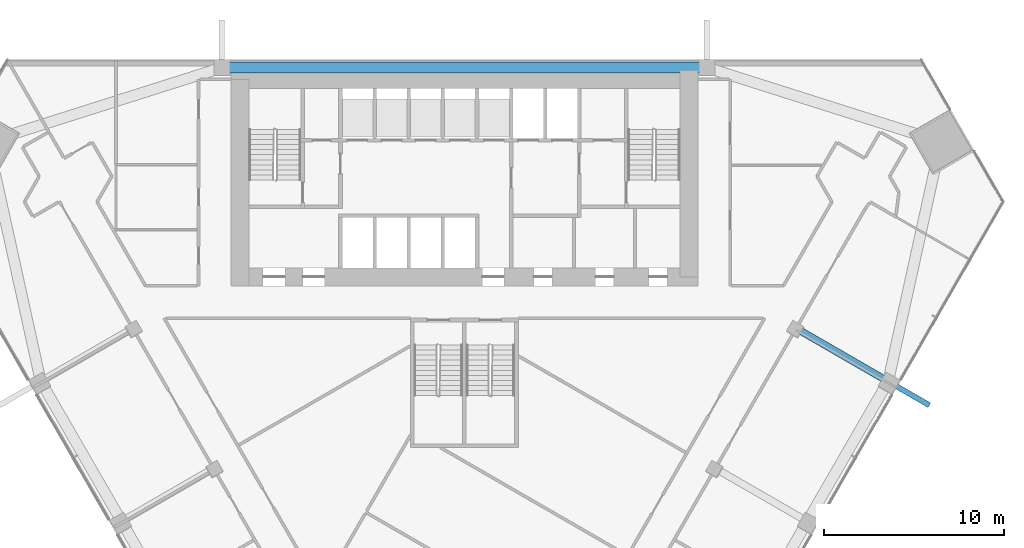
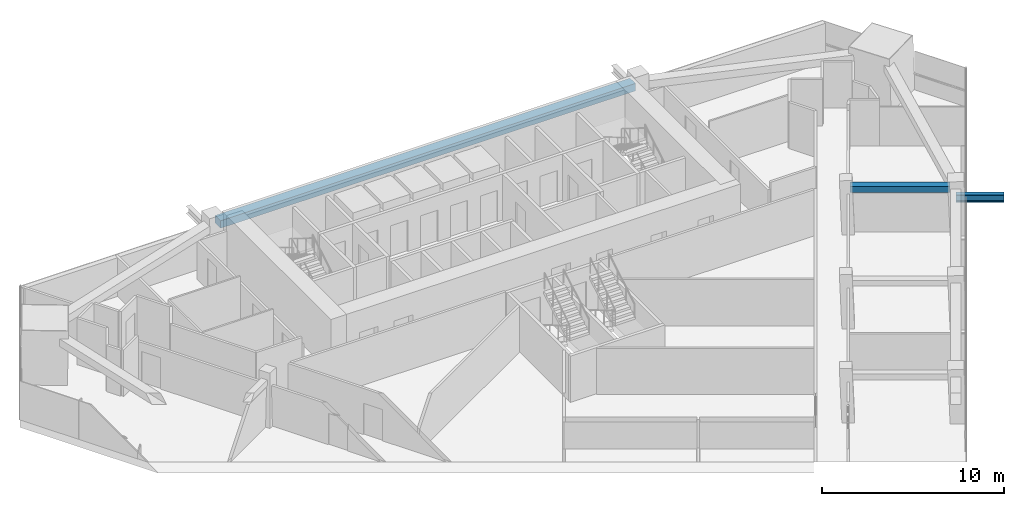
# One storey, part 6 of 13: 2 beams, 1 member.
"""IFC4 building model written with IfcOpenShell, lengths in metres."""

import ifcopenshell
import ifcopenshell.guid

model = None  # the IFC model being written
_history = None  # IfcOwnerHistory: only IFC2X3 demands one
_inside = {}  # id of a spatial element -> (the spatial element, [elements in it])
_under = {}  # id of a project, library or spatial element -> (it, [spatial elements below it])
_declared = {}  # id of a project -> (the project, [libraries it declares])
_typed = {}  # id of a type object -> (the type object, [elements of that type])
_made_of = {}  # id of a material, layer set ... -> (it, [elements and type objects made of it])


def new_model(schema):
    """Start an empty IFC model of exactly this schema.

    Asked for "IFC4X3", IfcOpenShell would pick the latest addendum, in which some entities
    have other attributes; the version numbers below select the first issue.
    IFC2X3 requires an IfcOwnerHistory on every rooted entity: one is made here for all.
    """
    global model, _history
    if schema == "IFC4X3":
        model = ifcopenshell.file(schema_version=(4, 3, 0, 0))
    else:
        model = ifcopenshell.file(schema=schema)
    _inside.clear()
    _under.clear()
    _declared.clear()
    _typed.clear()
    _made_of.clear()
    _history = None
    if model.schema == "IFC2X3":
        org = make("IfcOrganization", Name="unknown")
        user = make(
            "IfcPersonAndOrganization",
            ThePerson=make("IfcPerson", FamilyName="unknown"),
            TheOrganization=org,
        )
        app = make(
            "IfcApplication",
            ApplicationDeveloper=org,
            Version="unknown",
            ApplicationFullName="unknown",
            ApplicationIdentifier="unknown",
        )
        _history = make(
            "IfcOwnerHistory",
            OwningUser=user,
            OwningApplication=app,
            ChangeAction="ADDED",
            CreationDate=0,
        )
    return model


def make(cls, **values):
    """One entity of the class cls with the attributes given. An attribute that is None is left unset."""
    return model.create_entity(
        cls, **{name: value for name, value in values.items() if value is not None}
    )


def rooted(cls, **values):
    """An entity with a GlobalId (a new one), such as an element, a storey or a relation."""
    return make(cls, GlobalId=ifcopenshell.guid.new(), OwnerHistory=_history, **values)


def si_unit(unit_type, name, prefix=None):
    """IfcSIUnit, for example si_unit("LENGTHUNIT", "METRE", prefix="MILLI")."""
    return make("IfcSIUnit", UnitType=unit_type, Prefix=prefix, Name=name)


def assignment(units):
    """IfcUnitAssignment: the units of a project."""
    return None if units is None else make("IfcUnitAssignment", Units=units)


def point(xyz):
    """IfcCartesianPoint."""
    return None if xyz is None else make("IfcCartesianPoint", Coordinates=xyz)


def direction(xyz):
    """IfcDirection."""
    return None if xyz is None else make("IfcDirection", DirectionRatios=xyz)


def frame(location, z_axis=None, x_axis=None):
    """IfcAxis2Placement3D, a coordinate frame: its origin and axes. An axis left out is left unset."""
    return make(
        "IfcAxis2Placement3D",
        Location=point(location),
        Axis=direction(z_axis),
        RefDirection=direction(x_axis),
    )


def frame_2d(location, x_axis=None):
    """IfcAxis2Placement2D, a coordinate frame in the plane: its origin and x axis."""
    return make(
        "IfcAxis2Placement2D", Location=point(location), RefDirection=direction(x_axis)
    )


def origin():
    """The frame at (0, 0, 0) with its axes left unset."""
    return frame((0.0, 0.0, 0.0))


def origin_2d():
    """The frame at (0, 0) in the plane with its x axis left unset."""
    return frame_2d((0.0, 0.0))


def place(relative_to, where):
    """IfcLocalPlacement: puts the frame where relative to a parent placement (None: the world)."""
    return make(
        "IfcLocalPlacement", PlacementRelTo=relative_to, RelativePlacement=where
    )


def context(
    kind, dimensions, precision=None, world=None, true_north=None, identifier=None
):
    """IfcGeometricRepresentationContext, for example the 3D "Model" context."""
    return make(
        "IfcGeometricRepresentationContext",
        ContextIdentifier=identifier,
        ContextType=kind,
        CoordinateSpaceDimension=dimensions,
        Precision=precision,
        WorldCoordinateSystem=world,
        TrueNorth=true_north,
    )


def subcontext(parent, identifier, kind, view, scale=None):
    """IfcGeometricRepresentationSubContext, for example "Body" below "Model"."""
    return make(
        "IfcGeometricRepresentationSubContext",
        ContextIdentifier=identifier,
        ContextType=kind,
        ParentContext=parent,
        TargetScale=scale,
        TargetView=view,
    )


def project(units=None, contexts=None):
    """IfcProject with its units and contexts."""
    return rooted(
        "IfcProject",
        Name="project",
        RepresentationContexts=contexts,
        UnitsInContext=assignment(units),
    )


def spatial(cls, under=None, at=None, **own):
    """A site, building, storey or space (cls), placed at a placement, below another one or the project."""
    s = rooted(cls, ObjectPlacement=at, **own)
    if under is not None:
        _under.setdefault(under.id(), (under, []))[1].append(s)
    return s


def profile(cls, at=None, kind="AREA", **sizes):
    """A parametric profile (cls). Its sizes go by their IFC names, for example OverallWidth=200.0."""
    return make(cls, ProfileType=kind, Position=at, **sizes)


def rectangle(**sizes):
    """IfcRectangleProfileDef."""
    return profile("IfcRectangleProfileDef", **sizes)


def i_section(**sizes):
    """IfcIShapeProfileDef."""
    return profile("IfcIShapeProfileDef", **sizes)


def extrude(swept, where, along, depth):
    """IfcExtrudedAreaSolid: the profile swept, set in the frame where, extruded along a direction by depth."""
    return make(
        "IfcExtrudedAreaSolid",
        SweptArea=swept,
        Position=where,
        ExtrudedDirection=direction(along),
        Depth=depth,
    )


def shape(context_of_items, identifier, shape_type, items):
    """IfcShapeRepresentation: the items that make up one representation, for example the "Body"."""
    return make(
        "IfcShapeRepresentation",
        ContextOfItems=context_of_items,
        RepresentationIdentifier=identifier,
        RepresentationType=shape_type,
        Items=items,
    )


def material(Name=None, Category=None):
    """IfcMaterial."""
    return make("IfcMaterial", Name=Name, Category=Category)


def material_profile(
    of_material, cross_section, Name=None, Category=None, Priority=None
):
    """IfcMaterialProfile: a cross section and its material."""
    return make(
        "IfcMaterialProfile",
        Name=Name,
        Material=of_material,
        Profile=cross_section,
        Priority=Priority,
        Category=Category,
    )


def profile_set(profiles, Name=None, composite=None):
    """IfcMaterialProfileSet."""
    return make(
        "IfcMaterialProfileSet",
        Name=Name,
        MaterialProfiles=profiles,
        CompositeProfile=composite,
    )


def made_of(thing, what):
    """Note that an element or type object is made of a material, layer set ...; save() writes the relation."""
    if what is not None:
        _made_of.setdefault(what.id(), (what, []))[1].append(thing)
    return thing


def type_object(cls, material=None, **own):
    """A type object (cls), such as IfcWallType, which elements share."""
    return made_of(rooted(cls, **own), material)


def element(
    cls,
    number,
    at=None,
    inside=None,
    cuts=None,
    type_object=None,
    material=None,
    context=None,
    identifier="Body",
    shape_type=None,
    held_by="IfcProductDefinitionShape",
    body=None,
    shapes=None,
    **own,
):
    """One element of the class cls, such as IfcWall. Its Tag is "e" and its number.

    at: its placement. inside: the storey or other place that contains it. cuts: it is an
    opening in that element (IfcRelVoidsElement). A single representation is given by context,
    identifier, shape_type and body (its items); several are given by shapes. held_by: the class
    of the entity that holds the representations. save() writes the other relations.
    """
    e = rooted(cls, Tag="e%d" % number, ObjectPlacement=at, **own)
    if body is not None:
        shapes = [shape(context, identifier, shape_type, body)]
    if shapes is not None:
        e.Representation = make(held_by, Representations=shapes)
    if inside is not None:
        _inside.setdefault(inside.id(), (inside, []))[1].append(e)
    if cuts is not None:
        rooted(
            "IfcRelVoidsElement", RelatingBuildingElement=cuts, RelatedOpeningElement=e
        )
    if type_object is not None:
        _typed.setdefault(type_object.id(), (type_object, []))[1].append(e)
    return made_of(e, material)


def aggregate(whole, parts):
    """IfcRelAggregates: a whole, such as a stair, and the parts it consists of."""
    return rooted("IfcRelAggregates", RelatingObject=whole, RelatedObjects=parts)


def save(model, path):
    """Write the relations noted so far, then the file.

    IfcRelAggregates (storeys below a building ...), IfcRelContainedInSpatialStructure (elements
    in a storey), IfcRelDefinesByType, IfcRelAssociatesMaterial and IfcRelDeclares: one each for
    every whole, place, type object, material and project.
    """
    for whole, parts in _under.values():
        aggregate(whole, parts)
    for where, things in _inside.values():
        rooted(
            "IfcRelContainedInSpatialStructure",
            RelatedElements=things,
            RelatingStructure=where,
        )
    for kind, things in _typed.values():
        rooted("IfcRelDefinesByType", RelatedObjects=things, RelatingType=kind)
    for what, things in _made_of.values():
        rooted("IfcRelAssociatesMaterial", RelatedObjects=things, RelatingMaterial=what)
    for by, libraries in _declared.values():
        rooted("IfcRelDeclares", RelatingContext=by, RelatedDefinitions=libraries)
    model.write(path)


model = new_model("IFC4")

# Units and contexts
model_context = context("Model", 3, precision=1e-05, world=origin(), true_north=direction((0.0, 1.0)))
body_context = subcontext(model_context, "Body", "Model", "MODEL_VIEW")
ifc_project = project(units=[si_unit("LENGTHUNIT", "METRE"), si_unit("AREAUNIT", "SQUARE_METRE"), si_unit("VOLUMEUNIT", "CUBIC_METRE"), si_unit("PLANEANGLEUNIT", "RADIAN"), si_unit("MASSUNIT", "GRAM", prefix="KILO")], contexts=[model_context])

# Site, building, storey
site_placement = place(None, origin())
site = spatial("IfcSite", under=ifc_project, at=site_placement, CompositionType="ELEMENT")
building_placement = place(site_placement, origin())
building = spatial("IfcBuilding", under=site, at=building_placement, Name="Altiplano Prism Tower", CompositionType="ELEMENT")
storey_placement = place(building_placement, frame((0.0, 0.0, 66.60009765625)))
storey = spatial("IfcBuildingStorey", under=building, at=storey_placement, Name="L16", CompositionType="ELEMENT", Elevation=66.60009765625)

# Member
ifc_material_1 = material(Name="Steel S355", Category="steel")
ifc_material_profile_1 = material_profile(ifc_material_1, i_section(OverallWidth=0.300048828125, OverallDepth=0.5, WebThickness=0.014404296875, FlangeThickness=0.028076171875, FilletRadius=0.027099609375, at=origin_2d()), Name="Brace bracket HEB 500")
ifc_profile_set_1 = profile_set([ifc_material_profile_1], Name="Steel S355")
member_type = type_object("IfcMemberType", Name="Brace bracket HEB 500", PredefinedType="STRUT", material=ifc_profile_set_1)
member_placement = place(storey_placement, frame((108.5869140625, 87.078857421875, 2.223388671875), z_axis=(0.866029095148, -0.499993606316, 0.0), x_axis=(0.499993606316, 0.866029095148, 0.0)))
element("IfcMember", 1, at=member_placement, inside=storey, type_object=member_type, Name="Brace bracket 2.70.2", PredefinedType="STRUT", context=body_context, shape_type="SweptSolid", body=[
    extrude(i_section(OverallWidth=0.300048828125, OverallDepth=0.5, WebThickness=0.014404296875, FlangeThickness=0.028076171875, FilletRadius=0.027099609375, at=origin_2d()), origin(), (0.0, 0.0, 1.0), 2.64990234375),
])

# Beams
ifc_material_2 = material(Name="Concrete C60/75", Category="concrete")
ifc_material_profile_2 = material_profile(ifc_material_2, rectangle(XDim=0.60009765625, YDim=0.5, at=origin_2d()), Name="Edge beam 600x500")
ifc_profile_set_2 = profile_set([ifc_material_profile_2], Name="Concrete C60/75")
beam_type_1 = type_object("IfcBeamType", Name="Edge beam 600x500", PredefinedType="SPANDREL", material=ifc_profile_set_2)
beam_1_placement = place(storey_placement, frame((98.169921875, 104.550048828125, 2.849853515625), z_axis=(-1.0, 0.0, 0.0), x_axis=(0.0, -1.0, 0.0)))
element("IfcBeam", 2, at=beam_1_placement, inside=storey, type_object=beam_type_1, Name="Edge beam P01-P04 L17", PredefinedType="SPANDREL", context=body_context, shape_type="SweptSolid", body=[
    extrude(rectangle(XDim=0.60009765625, YDim=0.5, at=origin_2d()), origin(), (0.0, 0.0, 1.0), 26.33984375),
])
ifc_material_profile_3 = material_profile(ifc_material_2, rectangle(XDim=0.39990234375, YDim=0.39990234375, at=origin_2d()), Name="Tie beam 400x400")
ifc_profile_set_3 = profile_set([ifc_material_profile_3], Name="Concrete C60/75")
beam_type_2 = type_object("IfcBeamType", Name="Tie beam 400x400", PredefinedType="BEAM", material=ifc_profile_set_3)
beam_2_placement = place(storey_placement, frame((103.546630859375, 89.989013671875, 2.89990234375), z_axis=(0.866023410697, -0.500003452112, 0.0), x_axis=(0.500003452112, 0.866023410697, 0.0)))
element("IfcBeam", 3, at=beam_2_placement, inside=storey, type_object=beam_type_2, Name="Tie beam I24 L17", PredefinedType="BEAM", context=body_context, shape_type="SweptSolid", body=[
    extrude(rectangle(XDim=0.39990234375, YDim=0.39990234375, at=origin_2d()), origin(), (0.0, 0.0, 1.0), 5.490234375),
])

save(model, "model.ifc")
